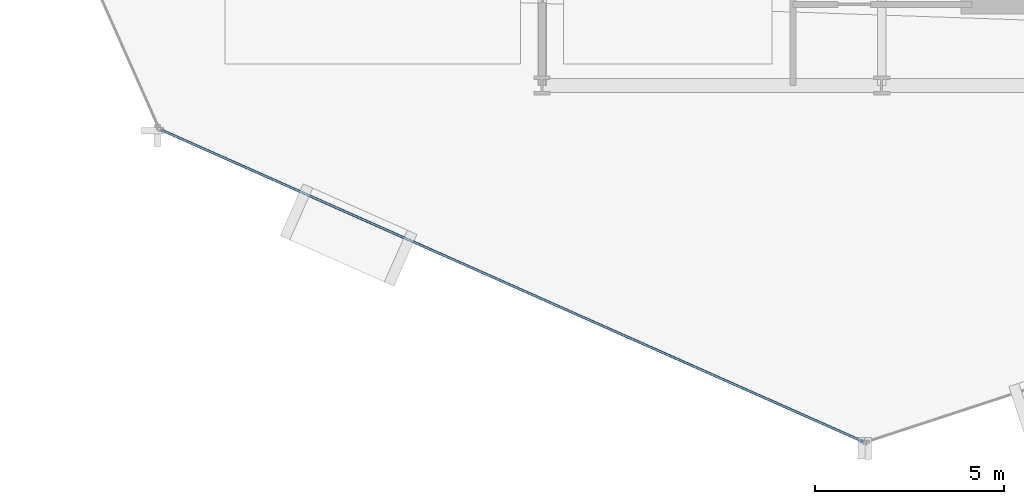
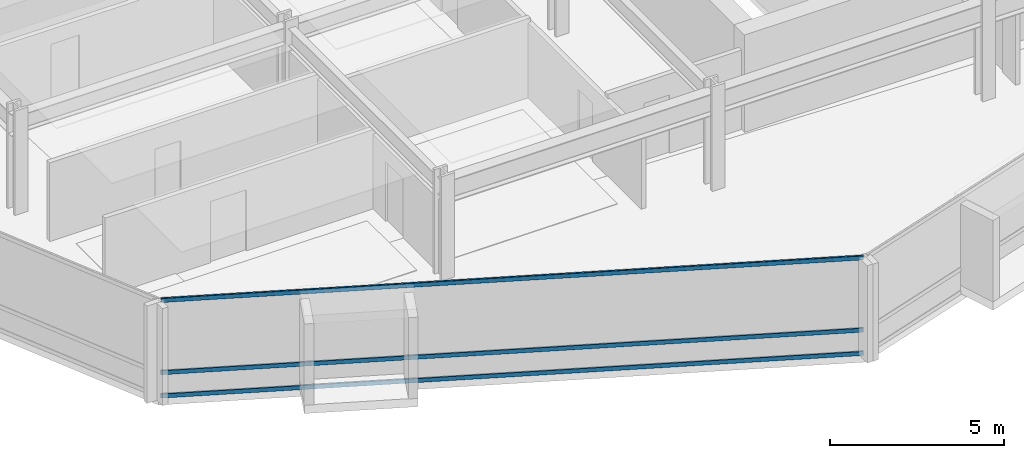
# One storey, part 3 of 34: 3 members, 1 element without a shape of its own.
"""IFC4 building model written with IfcOpenShell, lengths in metres."""

from ifc_helpers import new_model, si_unit, direction, frame, origin, origin_2d, place, context, subcontext, project, spatial, hollow_rectangle, extrude, material, layer, layer_set, material_profile, profile_set, type_object, element, aggregate, save


model = new_model("IFC4")

# Units and contexts
model_context = context("Model", 3, precision=1e-05, world=origin(), true_north=direction((0.0, 1.0)))
body_context = subcontext(model_context, "Body", "Model", "MODEL_VIEW")
ifc_project = project(units=[si_unit("LENGTHUNIT", "METRE"), si_unit("AREAUNIT", "SQUARE_METRE"), si_unit("VOLUMEUNIT", "CUBIC_METRE"), si_unit("PLANEANGLEUNIT", "RADIAN"), si_unit("MASSUNIT", "GRAM", prefix="KILO")], contexts=[model_context])

# Site, building, storey
site_placement = place(None, origin())
site = spatial("IfcSite", under=ifc_project, at=site_placement, CompositionType="ELEMENT")
building_placement = place(site_placement, origin())
building = spatial("IfcBuilding", under=site, at=building_placement, Name="Solvaryn Broadcast Tower", CompositionType="ELEMENT")
storey_placement = place(building_placement, frame((0.0, 0.0, 61.89990234375)))
storey = spatial("IfcBuildingStorey", under=building, at=storey_placement, Name="L14", CompositionType="ELEMENT", Elevation=61.89990234375)

# Curtain wall, members
ifc_material_1 = material(Name="Aluminium and Terracotta Unitised Curtain Wall", Category="masonry")
ifc_layer = layer(ifc_material_1, 0.199951171875)
ifc_layer_set = layer_set([ifc_layer], Name="CW-SYS2-LOWMID")
curtain_wall_type = type_object("IfcCurtainWallType", Name="CW-SYS2-LOWMID", PredefinedType="NOTDEFINED", material=ifc_layer_set)
curtain_wall_placement = place(storey_placement, origin())
curtain_wall = element("IfcCurtainWall", 1, at=curtain_wall_placement, inside=storey, type_object=curtain_wall_type, Name="L14 Curtain Wall DR3", PredefinedType="NOTDEFINED")
ifc_material_2 = material(Name="Anodised Aluminium 6063-T6", Category="aluminium")
ifc_material_profile = material_profile(ifc_material_2, hollow_rectangle(XDim=0.06494140625, YDim=0.14990234375, WallThickness=0.00390625, InnerFilletRadius=0.00390625, OuterFilletRadius=0.008056640625, at=origin_2d()))
ifc_profile_set = profile_set([ifc_material_profile], Name="Anodised Aluminium 6063-T6")
member_type = type_object("IfcMemberType", Name="CW-TRN-150", PredefinedType="USERDEFINED", material=ifc_profile_set)
member_1_placement = place(storey_placement, frame((7.90185546875, 7.82275390625, 0.030029296875), z_axis=(0.913914888191, -0.405905872269, 0.0), x_axis=(0.405905872269, 0.913914888191, 0.0)))
member_1 = element("IfcMember", 2, at=member_1_placement, type_object=member_type, Name="CWS2 transom 1.1", ObjectType="TRANSOM", PredefinedType="USERDEFINED", context=body_context, shape_type="SweptSolid", body=[
    extrude(hollow_rectangle(XDim=0.06494140625, YDim=0.14990234375, WallThickness=0.00390625, InnerFilletRadius=0.00390625, OuterFilletRadius=0.008056640625, at=origin_2d()), origin(), (0.0, 0.0, 1.0), 20.35546875),
])
member_2_placement = place(storey_placement, frame((7.90185546875, 7.82275390625, 0.85009765625), z_axis=(0.913914888191, -0.405905872269, 0.0), x_axis=(0.405905872269, 0.913914888191, 0.0)))
member_2 = element("IfcMember", 3, at=member_2_placement, type_object=member_type, Name="CWS2 transom 1.2", ObjectType="TRANSOM", PredefinedType="USERDEFINED", context=body_context, shape_type="SweptSolid", body=[
    extrude(hollow_rectangle(XDim=0.06494140625, YDim=0.14990234375, WallThickness=0.00390625, InnerFilletRadius=0.00390625, OuterFilletRadius=0.008056640625, at=origin_2d()), origin(), (0.0, 0.0, 1.0), 20.35546875),
])
member_3_placement = place(storey_placement, frame((7.90185546875, 7.82275390625, 3.39013671875), z_axis=(0.913914888191, -0.405905872269, 0.0), x_axis=(0.405905872269, 0.913914888191, 0.0)))
member_3 = element("IfcMember", 4, at=member_3_placement, type_object=member_type, Name="CWS2 transom 1.3", ObjectType="TRANSOM", PredefinedType="USERDEFINED", context=body_context, shape_type="SweptSolid", body=[
    extrude(hollow_rectangle(XDim=0.06494140625, YDim=0.14990234375, WallThickness=0.00390625, InnerFilletRadius=0.00390625, OuterFilletRadius=0.008056640625, at=origin_2d()), origin(), (0.0, 0.0, 1.0), 20.35546875),
])
aggregate(curtain_wall, [member_1, member_2, member_3])

save(model, "model.ifc")
